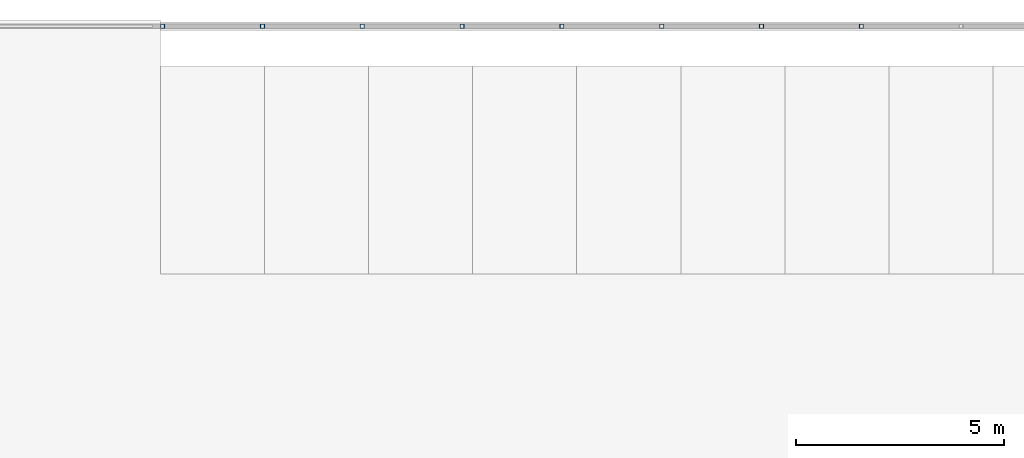
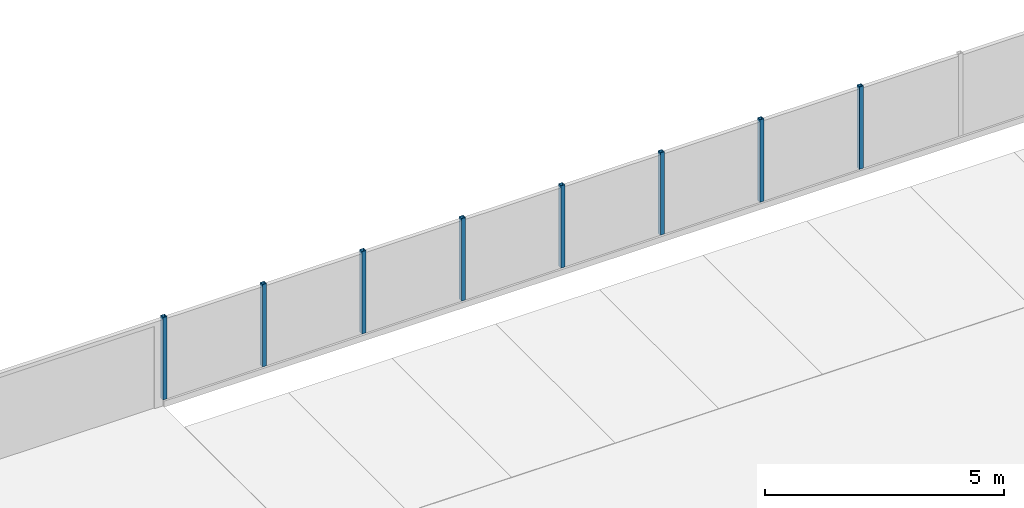
# One storey, part 20 of 129: 8 members.
"""IFC4 building model written with IfcOpenShell, lengths in metres."""

from ifc_helpers import new_model, si_unit, direction, frame, origin, origin_2d, place, context, subcontext, project, spatial, hollow_rectangle, extrude, material, material_profile, profile_set, type_object, element, save


model = new_model("IFC4")

# Units and contexts
model_context = context("Model", 3, precision=1e-05, world=origin(), true_north=direction((0.0, 1.0)))
body_context = subcontext(model_context, "Body", "Model", "MODEL_VIEW")
ifc_project = project(units=[si_unit("LENGTHUNIT", "METRE"), si_unit("AREAUNIT", "SQUARE_METRE"), si_unit("VOLUMEUNIT", "CUBIC_METRE"), si_unit("PLANEANGLEUNIT", "RADIAN"), si_unit("MASSUNIT", "GRAM", prefix="KILO")], contexts=[model_context])

# Site, building, storey
site_placement = place(None, origin())
site = spatial("IfcSite", under=ifc_project, at=site_placement, CompositionType="ELEMENT")
building_placement = place(site_placement, origin())
building = spatial("IfcBuilding", under=site, at=building_placement, Name="Kiln Court Media Centre", CompositionType="ELEMENT")
storey_placement = place(building_placement, origin())
storey = spatial("IfcBuildingStorey", under=building, at=storey_placement, Name="L00", CompositionType="ELEMENT", Elevation=0.0)

# Members
ifc_material = material(Name="Steel ASTM A500 Gr C", Category="steel")
ifc_material_profile = material_profile(ifc_material, hollow_rectangle(XDim=0.10009765625, YDim=0.10009765625, WallThickness=0.00634765625, at=origin_2d()), Name="SHS 100x100x6.3")
ifc_profile_set = profile_set([ifc_material_profile], Name="Steel ASTM A500 Gr C")
member_type = type_object("IfcMemberType", Name="Steel ASTM A500 Gr C fence post SHS 100x100x6.3", PredefinedType="USERDEFINED", material=ifc_profile_set)
for number, where, z_axis, x_axis, name in (
    (1, (4.849853515625, 87.85009765625, -1.050048828125), (0.0, 0.0, 1.0), (1.0, 0.0, 0.0), "Fence post 1"),
    (2, (7.248291015625, 87.85009765625, -1.050048828125), (0.0, 0.0, 1.0), (1.0, 0.0, 0.0), "Fence post 2"),
    (3, (9.646728515625, 87.85009765625, -1.050048828125), (0.0, 0.0, 1.0), (1.0, 0.0, 0.0), "Fence post 3"),
    (4, (12.04541015625, 87.85009765625, -1.050048828125), (0.0, 0.0, 1.0), (1.0, 0.0, 0.0), "Fence post 4"),
    (5, (14.44384765625, 87.85009765625, -1.050048828125), (0.0, 0.0, 1.0), (1.0, 0.0, 0.0), "Fence post 5"),
    (6, (16.84228515625, 87.85009765625, -1.050048828125), (0.0, 0.0, 1.0), (1.0, 0.0, 0.0), "Fence post 6"),
    (7, (19.24072265625, 87.85009765625, -1.050048828125), (0.0, 0.0, 1.0), (1.0, 0.0, 0.0), "Fence post 7"),
    (8, (21.63916015625, 87.85009765625, -1.050048828125), (0.0, 0.0, 1.0), (1.0, 0.0, 0.0), "Fence post 8"),
):
    element("IfcMember", number, at=place(storey_placement, frame(where, z_axis=z_axis, x_axis=x_axis)), inside=storey, type_object=member_type, Name=name, ObjectType="FENCE POST", PredefinedType="USERDEFINED", context=body_context, shape_type="SweptSolid", body=[
        extrude(hollow_rectangle(XDim=0.10009765625, YDim=0.10009765625, WallThickness=0.00634765625, at=origin_2d()), origin(), (0.0, 0.0, 1.0), 2.10009765625),
    ])

save(model, "model.ifc")
